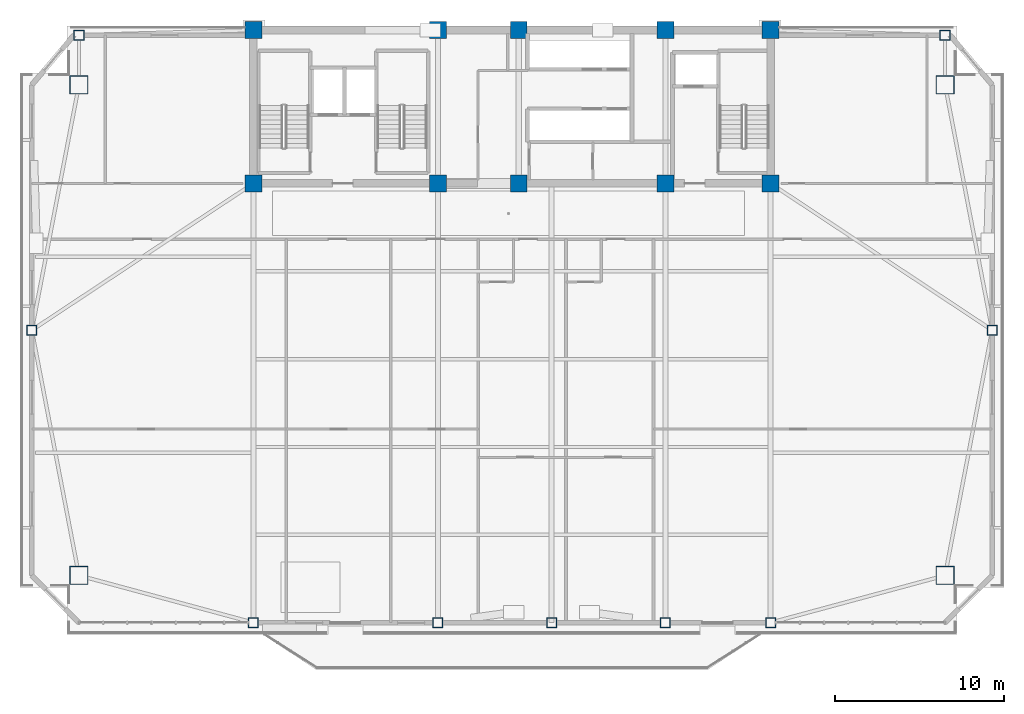
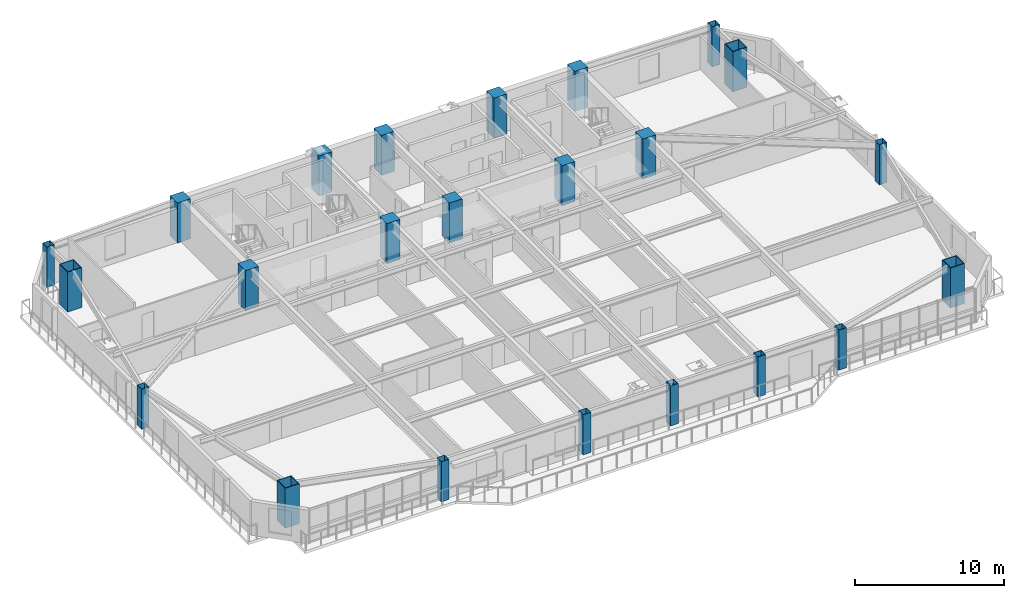
# One storey, part 1 of 17: 23 columns.
"""IFC4 building model written with IfcOpenShell, lengths in metres."""

from ifc_helpers import new_model, si_unit, direction, frame, origin, origin_2d, place, context, subcontext, project, spatial, rectangle, hollow_rectangle, extrude, source, transform, mapped, material, material_profile, profile_set, type_object, element, save


model = new_model("IFC4")

# Units and contexts
model_context = context("Model", 3, precision=1e-05, world=origin(), true_north=direction((0.0, 1.0)))
body_context = subcontext(model_context, "Body", "Model", "MODEL_VIEW")
ifc_project = project(units=[si_unit("LENGTHUNIT", "METRE"), si_unit("AREAUNIT", "SQUARE_METRE"), si_unit("VOLUMEUNIT", "CUBIC_METRE"), si_unit("PLANEANGLEUNIT", "RADIAN"), si_unit("MASSUNIT", "GRAM", prefix="KILO")], contexts=[model_context])

# Site, building, storey
site_placement = place(None, origin())
site = spatial("IfcSite", under=ifc_project, at=site_placement, CompositionType="ELEMENT")
building_placement = place(site_placement, origin())
building = spatial("IfcBuilding", under=site, at=building_placement, Name="Giltprow Tower", CompositionType="ELEMENT")
storey_placement = place(building_placement, frame((0.0, 0.0, 206.199951171875)))
storey = spatial("IfcBuildingStorey", under=building, at=storey_placement, Name="L52", CompositionType="ELEMENT", Elevation=206.199951171875)

# Columns
ifc_material_1 = material(Name="Concrete C50", Category="concrete")
ifc_material_profile_1 = material_profile(ifc_material_1, rectangle(XDim=1.0, YDim=1.0, at=origin_2d()), Name="RC 1000x1000")
ifc_profile_set_1 = profile_set([ifc_material_profile_1], Name="Concrete C50")
column_type_1 = type_object("IfcColumnType", Name="PIL-RC-1000-C50", PredefinedType="PILASTER", material=ifc_profile_set_1)
shared_shape_1 = source(origin(), body_context, "Body", "SweptSolid", [
    extrude(rectangle(XDim=1.0, YDim=1.0, at=origin_2d()), origin(), (0.0, 0.0, 1.0), 3.27001953125),
])
for number, where, z_axis, x_axis, name in (
    (1, (19.85009765625, 37.449951171875, 0.0), (0.0, 0.0, 1.0), (1.0, 0.0, 0.0), "L52 Core Boundary Pilaster 1-1"),
    (2, (19.85009765625, 46.550048828125, 0.0), (0.0, 0.0, 1.0), (1.0, 0.0, 0.0), "L52 Core Boundary Pilaster 1-2"),
    (3, (30.800048828125, 37.449951171875, 0.0), (0.0, 0.0, 1.0), (1.0, 0.0, 0.0), "L52 Core Boundary Pilaster 2-1"),
    (4, (30.800048828125, 46.550048828125, 0.0), (0.0, 0.0, 1.0), (1.0, 0.0, 0.0), "L52 Core Boundary Pilaster 2-2"),
    (5, (35.60009765625, 37.449951171875, 0.0), (0.0, 0.0, 1.0), (1.0, 0.0, 0.0), "L52 Core Boundary Pilaster 3-1"),
    (6, (35.60009765625, 46.550048828125, 0.0), (0.0, 0.0, 1.0), (1.0, 0.0, 0.0), "L52 Core Boundary Pilaster 3-2"),
    (7, (44.300048828125, 37.449951171875, 0.0), (0.0, 0.0, 1.0), (1.0, 0.0, 0.0), "L52 Core Boundary Pilaster 4-1"),
    (8, (44.300048828125, 46.550048828125, 0.0), (0.0, 0.0, 1.0), (1.0, 0.0, 0.0), "L52 Core Boundary Pilaster 4-2"),
    (9, (50.550048828125, 37.449951171875, 0.0), (0.0, 0.0, 1.0), (1.0, 0.0, 0.0), "L52 Core Boundary Pilaster 5-1"),
    (10, (50.550048828125, 46.550048828125, 0.0), (0.0, 0.0, 1.0), (1.0, 0.0, 0.0), "L52 Core Boundary Pilaster 5-2"),
):
    element("IfcColumn", number, at=place(storey_placement, frame(where, z_axis=z_axis, x_axis=x_axis)), inside=storey, type_object=column_type_1, Name=name, PredefinedType="PILASTER", context=body_context, shape_type="MappedRepresentation", body=[
        mapped(shared_shape_1, transform((0.0, 0.0, 0.0), x_axis=(1.0, 0.0, 0.0), y_axis=(0.0, 1.0, 0.0), z_axis=(0.0, 0.0, 1.0), scale=1.0)),
    ])
ifc_material_2 = material(Name="Structural steel Q420GJC", Category="steel")
ifc_material_profile_2 = material_profile(ifc_material_2, hollow_rectangle(XDim=1.10009765625, YDim=1.10009765625, WallThickness=0.050048828125, at=origin_2d()), Name="BOX 1100x1100x50")
ifc_profile_set_2 = profile_set([ifc_material_profile_2], Name="Structural steel Q420GJC")
column_type_2 = type_object("IfcColumnType", Name="COL-BOX-1100x1100x50", PredefinedType="COLUMN", material=ifc_profile_set_2)
shared_shape_2 = source(origin(), body_context, "Body", "SweptSolid", [
    extrude(hollow_rectangle(XDim=1.10009765625, YDim=1.10009765625, WallThickness=0.050048828125, at=origin_2d()), origin(), (0.0, 0.0, 1.0), 3.27001953125),
])
for number, where, z_axis, x_axis, name in (
    (11, (9.5029296875, 14.18603515625, 0.0), (0.0, 0.0, 1.0), (1.0, 0.0, 0.0), "L52 Mega-Column MC_SW"),
    (12, (60.89794921875, 14.18603515625, 0.0), (0.0, 0.0, 1.0), (1.0, 0.0, 0.0), "L52 Mega-Column MC_SE"),
    (13, (9.5029296875, 43.300048828125, 0.0), (0.0, 0.0, 1.0), (1.0, 0.0, 0.0), "L52 Mega-Column MC_NW"),
    (14, (60.89794921875, 43.300048828125, 0.0), (0.0, 0.0, 1.0), (1.0, 0.0, 0.0), "L52 Mega-Column MC_NE"),
):
    element("IfcColumn", number, at=place(storey_placement, frame(where, z_axis=z_axis, x_axis=x_axis)), inside=storey, type_object=column_type_2, Name=name, PredefinedType="COLUMN", context=body_context, shape_type="MappedRepresentation", body=[
        mapped(shared_shape_2, transform((0.0, 0.0, 0.0), x_axis=(1.0, 0.0, 0.0), y_axis=(0.0, 1.0, 0.0), z_axis=(0.0, 0.0, 1.0), scale=1.0)),
    ])
ifc_material_3 = material(Name="Structural steel Q355B", Category="steel")
ifc_material_profile_3 = material_profile(ifc_material_3, hollow_rectangle(XDim=0.60009765625, YDim=0.60009765625, WallThickness=0.028076171875, at=origin_2d()), Name="BOX 600x600x28")
ifc_profile_set_3 = profile_set([ifc_material_profile_3], Name="Structural steel Q355B")
column_type_3 = type_object("IfcColumnType", Name="COL-BOX-600x600x28", PredefinedType="COLUMN", material=ifc_profile_set_3)
shared_shape_3 = source(origin(), body_context, "Body", "SweptSolid", [
    extrude(hollow_rectangle(XDim=0.60009765625, YDim=0.60009765625, WallThickness=0.028076171875, at=origin_2d()), origin(), (0.0, 0.0, 1.0), 3.27001953125),
])
for number, where, z_axis, x_axis, name in (
    (15, (19.85009765625, 11.385986328125, 0.0), (0.0, 0.0, 1.0), (1.0, 0.0, 0.0), "L52 Perimeter Column S1"),
    (16, (30.800048828125, 11.385986328125, 0.0), (0.0, 0.0, 1.0), (1.0, 0.0, 0.0), "L52 Perimeter Column S2"),
    (17, (37.550048828125, 11.385986328125, 0.0), (0.0, 0.0, 1.0), (1.0, 0.0, 0.0), "L52 Perimeter Column S_MID"),
    (18, (44.300048828125, 11.385986328125, 0.0), (0.0, 0.0, 1.0), (1.0, 0.0, 0.0), "L52 Perimeter Column S3"),
    (19, (50.550048828125, 11.385986328125, 0.0), (0.0, 0.0, 1.0), (1.0, 0.0, 0.0), "L52 Perimeter Column S4"),
    (20, (6.702880859375, 28.742919921875, 0.0), (0.0, 0.0, 1.0), (1.0, 0.0, 0.0), "L52 Perimeter Column W_MID"),
    (21, (63.697998046875, 28.742919921875, 0.0), (0.0, 0.0, 1.0), (1.0, 0.0, 0.0), "L52 Perimeter Column E_MID"),
    (22, (9.5029296875, 46.25, 0.0), (0.0, 0.0, 1.0), (1.0, 0.0, 0.0), "L52 Perimeter Column N_W"),
    (23, (60.89794921875, 46.25, 0.0), (0.0, 0.0, 1.0), (1.0, 0.0, 0.0), "L52 Perimeter Column N_E"),
):
    element("IfcColumn", number, at=place(storey_placement, frame(where, z_axis=z_axis, x_axis=x_axis)), inside=storey, type_object=column_type_3, Name=name, PredefinedType="COLUMN", context=body_context, shape_type="MappedRepresentation", body=[
        mapped(shared_shape_3, transform((0.0, 0.0, 0.0), x_axis=(1.0, 0.0, 0.0), y_axis=(0.0, 1.0, 0.0), z_axis=(0.0, 0.0, 1.0), scale=1.0)),
    ])

save(model, "model.ifc")
